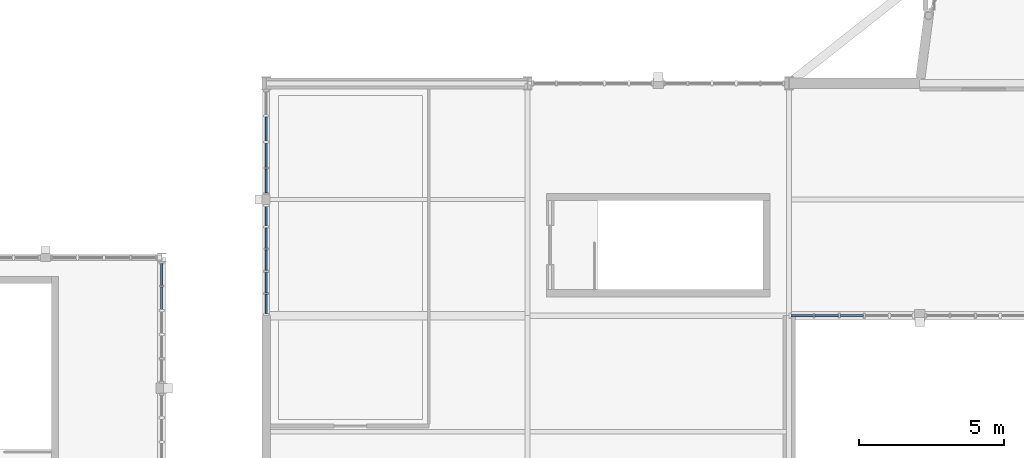
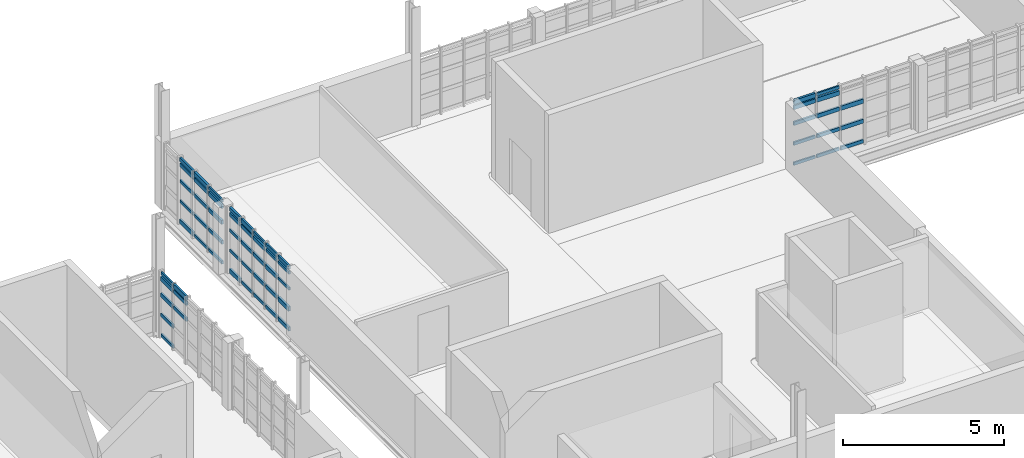
# One storey, part 21 of 44: 61 members, 4 elements without a shape of their own.
"""IFC4 building model written with IfcOpenShell, lengths in metres."""

from ifc_helpers import new_model, si_unit, direction, frame, origin, origin_2d, place, context, subcontext, project, spatial, rectangle, extrude, material, material_profile, profile_set, type_object, element, aggregate, save


model = new_model("IFC4")

# Units and contexts
model_context = context("Model", 3, precision=1e-05, world=origin(), true_north=direction((0.0, 1.0)))
body_context = subcontext(model_context, "Body", "Model", "MODEL_VIEW")
ifc_project = project(units=[si_unit("LENGTHUNIT", "METRE"), si_unit("AREAUNIT", "SQUARE_METRE"), si_unit("VOLUMEUNIT", "CUBIC_METRE"), si_unit("PLANEANGLEUNIT", "RADIAN"), si_unit("MASSUNIT", "GRAM", prefix="KILO")], contexts=[model_context])

# Site, building, storey
site_placement = place(None, origin())
site = spatial("IfcSite", under=ifc_project, at=site_placement, CompositionType="ELEMENT")
building_placement = place(site_placement, origin())
building = spatial("IfcBuilding", under=site, at=building_placement, Name="Serraforn Aerial Cableway Station", CompositionType="ELEMENT")
storey_placement = place(building_placement, frame((0.0, 0.0, 13.800048828125)))
storey = spatial("IfcBuildingStorey", under=building, at=storey_placement, Name="L03", CompositionType="ELEMENT", Elevation=13.800048828125)

# Curtain wall, member
ifc_material_1 = material(Name="Anodised bronze unitised curtain wall")
curtain_wall_type_1 = type_object("IfcCurtainWallType", Name="CW-SYS-18", PredefinedType="USERDEFINED", material=ifc_material_1)
curtain_wall_1_placement = place(storey_placement, origin())
curtain_wall_1 = element("IfcCurtainWall", 1, at=curtain_wall_1_placement, inside=storey, type_object=curtain_wall_type_1, Name="Unitised Curtain Wall CW-W-L03-E2B", ObjectType="UNITISED CURTAIN WALL", PredefinedType="USERDEFINED")
ifc_material_2 = material(Name="Anodised bronze extruded aluminium", Category="aluminium")
ifc_material_profile_1 = material_profile(ifc_material_2, rectangle(XDim=0.054931640625, YDim=0.110107421875, at=origin_2d()), Name="CW TRANSOM 55x110")
ifc_profile_set_1 = profile_set([ifc_material_profile_1], Name="Anodised bronze extruded aluminium")
member_type_1 = type_object("IfcMemberType", Name="CW-TRN-1", PredefinedType="USERDEFINED", material=ifc_profile_set_1)
member_1_placement = place(storey_placement, frame((24.0, 35.043212890625, 2.447998046875), z_axis=(0.0, 1.0, 0.0), x_axis=(-1.0, 0.0, 0.0)))
member_1 = element("IfcMember", 2, at=member_1_placement, type_object=member_type_1, Name="Curtain Wall Transom CW-W-L03-E2B-T5-5", ObjectType="TRANSOM", PredefinedType="USERDEFINED", context=body_context, shape_type="SweptSolid", body=[
    extrude(rectangle(XDim=0.054931640625, YDim=0.110107421875, at=origin_2d()), origin(), (0.0, 0.0, 1.0), 0.750732421875),
])

# Curtain wall, members
curtain_wall_type_2 = type_object("IfcCurtainWallType", Name="CW-SYS-15", PredefinedType="USERDEFINED", material=ifc_material_1)
curtain_wall_2_placement = place(storey_placement, origin())
curtain_wall_2 = element("IfcCurtainWall", 3, at=curtain_wall_2_placement, inside=storey, type_object=curtain_wall_type_2, Name="Unitised Curtain Wall CW-CV-L03-W3A", ObjectType="UNITISED CURTAIN WALL", PredefinedType="USERDEFINED")
member_2_placement = place(storey_placement, frame((27.60009765625, 40.8447265625, 0.866943359375), z_axis=(0.0, -1.0, 0.0), x_axis=(1.0, 0.0, 0.0)))
member_2 = element("IfcMember", 4, at=member_2_placement, type_object=member_type_1, Name="Curtain Wall Transom CW-CV-L03-W3A-T2-2", ObjectType="TRANSOM", PredefinedType="USERDEFINED", context=body_context, shape_type="SweptSolid", body=[
    extrude(rectangle(XDim=0.054931640625, YDim=0.110107421875, at=origin_2d()), origin(), (0.0, 0.0, 1.0), 0.830810546875),
])
member_3_placement = place(storey_placement, frame((27.60009765625, 39.943115234375, 0.10205078125), z_axis=(0.0, -1.0, 0.0), x_axis=(1.0, 0.0, 0.0)))
member_3 = element("IfcMember", 5, at=member_3_placement, type_object=member_type_1, Name="Curtain Wall Transom CW-CV-L03-W3A-T3-1", ObjectType="TRANSOM", PredefinedType="USERDEFINED", context=body_context, shape_type="SweptSolid", body=[
    extrude(rectangle(XDim=0.054931640625, YDim=0.110107421875, at=origin_2d()), origin(), (0.0, 0.0, 1.0), 0.83837890625),
])
member_4_placement = place(storey_placement, frame((27.60009765625, 39.0537109375, 2.447998046875), z_axis=(0.0, -1.0, 0.0), x_axis=(1.0, 0.0, 0.0)))
member_4 = element("IfcMember", 6, at=member_4_placement, type_object=member_type_1, Name="Curtain Wall Transom CW-CV-L03-W3A-T4-5", ObjectType="TRANSOM", PredefinedType="USERDEFINED", context=body_context, shape_type="SweptSolid", body=[
    extrude(rectangle(XDim=0.054931640625, YDim=0.110107421875, at=origin_2d()), origin(), (0.0, 0.0, 1.0), 0.815673828125),
])

curtain_wall_type_3 = type_object("IfcCurtainWallType", Name="CW-SYS-16", PredefinedType="USERDEFINED", material=ifc_material_1)
curtain_wall_3_placement = place(storey_placement, origin())
curtain_wall_3 = element("IfcCurtainWall", 7, at=curtain_wall_3_placement, inside=storey, type_object=curtain_wall_type_3, Name="Unitised Curtain Wall CW-CV-L03-W3B", ObjectType="UNITISED CURTAIN WALL", PredefinedType="USERDEFINED")
member_5_placement = place(storey_placement, frame((27.60009765625, 37.751953125, 0.866943359375), z_axis=(0.0, -1.0, 0.0), x_axis=(1.0, 0.0, 0.0)))
member_5 = element("IfcMember", 8, at=member_5_placement, type_object=member_type_1, Name="Curtain Wall Transom CW-CV-L03-W3B-T1-2", ObjectType="TRANSOM", PredefinedType="USERDEFINED", context=body_context, shape_type="SweptSolid", body=[
    extrude(rectangle(XDim=0.054931640625, YDim=0.110107421875, at=origin_2d()), origin(), (0.0, 0.0, 1.0), 0.660400390625),
])
member_6_placement = place(storey_placement, frame((27.60009765625, 37.0205078125, 0.10205078125), z_axis=(0.0, -1.0, 0.0), x_axis=(1.0, 0.0, 0.0)))
member_6 = element("IfcMember", 9, at=member_6_placement, type_object=member_type_1, Name="Curtain Wall Transom CW-CV-L03-W3B-T2-1", ObjectType="TRANSOM", PredefinedType="USERDEFINED", context=body_context, shape_type="SweptSolid", body=[
    extrude(rectangle(XDim=0.054931640625, YDim=0.110107421875, at=origin_2d()), origin(), (0.0, 0.0, 1.0), 0.703125),
])
member_7_placement = place(storey_placement, frame((27.60009765625, 36.2666015625, 2.447998046875), z_axis=(0.0, -1.0, 0.0), x_axis=(1.0, 0.0, 0.0)))
member_7 = element("IfcMember", 10, at=member_7_placement, type_object=member_type_1, Name="Curtain Wall Transom CW-CV-L03-W3B-T3-5", ObjectType="TRANSOM", PredefinedType="USERDEFINED", context=body_context, shape_type="SweptSolid", body=[
    extrude(rectangle(XDim=0.054931640625, YDim=0.110107421875, at=origin_2d()), origin(), (0.0, 0.0, 1.0), 0.710693359375),
])
member_8_placement = place(storey_placement, frame((27.60009765625, 35.5, 2.243896484375), z_axis=(0.0, -1.0, 0.0), x_axis=(1.0, 0.0, 0.0)))
member_8 = element("IfcMember", 11, at=member_8_placement, type_object=member_type_1, Name="Curtain Wall Transom CW-CV-L03-W3B-T4-4", ObjectType="TRANSOM", PredefinedType="USERDEFINED", context=body_context, shape_type="SweptSolid", body=[
    extrude(rectangle(XDim=0.054931640625, YDim=0.110107421875, at=origin_2d()), origin(), (0.0, 0.0, 1.0), 0.70556640625),
])
member_9_placement = place(storey_placement, frame((27.60009765625, 34.7333984375, 1.6318359375), z_axis=(0.0, -1.0, 0.0), x_axis=(1.0, 0.0, 0.0)))
member_9 = element("IfcMember", 12, at=member_9_placement, type_object=member_type_1, Name="Curtain Wall Transom CW-CV-L03-W3B-T5-3", ObjectType="TRANSOM", PredefinedType="USERDEFINED", context=body_context, shape_type="SweptSolid", body=[
    extrude(rectangle(XDim=0.054931640625, YDim=0.110107421875, at=origin_2d()), origin(), (0.0, 0.0, 1.0), 0.665283203125),
])

curtain_wall_type_4 = type_object("IfcCurtainWallType", Name="CW-SYS-17", PredefinedType="USERDEFINED", material=ifc_material_1)
curtain_wall_4_placement = place(storey_placement, origin())
curtain_wall_4 = element("IfcCurtainWall", 13, at=curtain_wall_4_placement, inside=storey, type_object=curtain_wall_type_4, Name="Unitised Curtain Wall CW-CV-L03-S3A", ObjectType="UNITISED CURTAIN WALL", PredefinedType="USERDEFINED")
member_10_placement = place(storey_placement, frame((45.673095703125, 34.0, 0.10205078125), z_axis=(1.0, 0.0, 0.0), x_axis=(0.0, 1.0, 0.0)))
member_10 = element("IfcMember", 14, at=member_10_placement, type_object=member_type_1, Name="Curtain Wall Transom CW-CV-L03-S3A-T1-1", ObjectType="TRANSOM", PredefinedType="USERDEFINED", context=body_context, shape_type="SweptSolid", body=[
    extrude(rectangle(XDim=0.054931640625, YDim=0.110107421875, at=origin_2d()), origin(), (0.0, 0.0, 1.0), 0.765380859375),
])
member_11_placement = place(storey_placement, frame((46.489501953125, 34.0, 2.447998046875), z_axis=(1.0, 0.0, 0.0), x_axis=(0.0, 1.0, 0.0)))
member_11 = element("IfcMember", 15, at=member_11_placement, type_object=member_type_1, Name="Curtain Wall Transom CW-CV-L03-S3A-T2-5", ObjectType="TRANSOM", PredefinedType="USERDEFINED", context=body_context, shape_type="SweptSolid", body=[
    extrude(rectangle(XDim=0.054931640625, YDim=0.110107421875, at=origin_2d()), origin(), (0.0, 0.0, 1.0), 0.810546875),
])

# Member
ifc_material_profile_2 = material_profile(ifc_material_2, rectangle(XDim=0.06005859375, YDim=0.1201171875, at=origin_2d()), Name="CW TRANSOM 60x120")
ifc_profile_set_2 = profile_set([ifc_material_profile_2], Name="Anodised bronze extruded aluminium")
member_type_2 = type_object("IfcMemberType", Name="CW-TRN-2", PredefinedType="USERDEFINED", material=ifc_profile_set_2)
member_12_placement = place(storey_placement, frame((24.0, 35.043212890625, 0.10205078125), z_axis=(0.0, 1.0, 0.0), x_axis=(-1.0, 0.0, 0.0)))
member_12 = element("IfcMember", 16, at=member_12_placement, type_object=member_type_2, Name="Curtain Wall Transom CW-W-L03-E2B-T5-1", ObjectType="TRANSOM", PredefinedType="USERDEFINED", context=body_context, shape_type="SweptSolid", body=[
    extrude(rectangle(XDim=0.06005859375, YDim=0.1201171875, at=origin_2d()), origin(), (0.0, 0.0, 1.0), 0.750732421875),
])

member_13_placement = place(storey_placement, frame((27.60009765625, 40.8447265625, 1.6318359375), z_axis=(0.0, -1.0, 0.0), x_axis=(1.0, 0.0, 0.0)))
member_13 = element("IfcMember", 17, at=member_13_placement, type_object=member_type_2, Name="Curtain Wall Transom CW-CV-L03-W3A-T2-3", ObjectType="TRANSOM", PredefinedType="USERDEFINED", context=body_context, shape_type="SweptSolid", body=[
    extrude(rectangle(XDim=0.06005859375, YDim=0.1201171875, at=origin_2d()), origin(), (0.0, 0.0, 1.0), 0.830810546875),
])

member_14_placement = place(storey_placement, frame((27.60009765625, 39.943115234375, 0.866943359375), z_axis=(0.0, -1.0, 0.0), x_axis=(1.0, 0.0, 0.0)))
member_14 = element("IfcMember", 18, at=member_14_placement, type_object=member_type_2, Name="Curtain Wall Transom CW-CV-L03-W3A-T3-2", ObjectType="TRANSOM", PredefinedType="USERDEFINED", context=body_context, shape_type="SweptSolid", body=[
    extrude(rectangle(XDim=0.06005859375, YDim=0.1201171875, at=origin_2d()), origin(), (0.0, 0.0, 1.0), 0.83837890625),
])

member_15_placement = place(storey_placement, frame((27.60009765625, 39.0537109375, 0.10205078125), z_axis=(0.0, -1.0, 0.0), x_axis=(1.0, 0.0, 0.0)))
member_15 = element("IfcMember", 19, at=member_15_placement, type_object=member_type_2, Name="Curtain Wall Transom CW-CV-L03-W3A-T4-1", ObjectType="TRANSOM", PredefinedType="USERDEFINED", context=body_context, shape_type="SweptSolid", body=[
    extrude(rectangle(XDim=0.06005859375, YDim=0.1201171875, at=origin_2d()), origin(), (0.0, 0.0, 1.0), 0.815673828125),
])

member_16_placement = place(storey_placement, frame((27.60009765625, 37.751953125, 1.6318359375), z_axis=(0.0, -1.0, 0.0), x_axis=(1.0, 0.0, 0.0)))
member_16 = element("IfcMember", 20, at=member_16_placement, type_object=member_type_2, Name="Curtain Wall Transom CW-CV-L03-W3B-T1-3", ObjectType="TRANSOM", PredefinedType="USERDEFINED", context=body_context, shape_type="SweptSolid", body=[
    extrude(rectangle(XDim=0.06005859375, YDim=0.1201171875, at=origin_2d()), origin(), (0.0, 0.0, 1.0), 0.660400390625),
])

member_17_placement = place(storey_placement, frame((27.60009765625, 37.0205078125, 0.866943359375), z_axis=(0.0, -1.0, 0.0), x_axis=(1.0, 0.0, 0.0)))
member_17 = element("IfcMember", 21, at=member_17_placement, type_object=member_type_2, Name="Curtain Wall Transom CW-CV-L03-W3B-T2-2", ObjectType="TRANSOM", PredefinedType="USERDEFINED", context=body_context, shape_type="SweptSolid", body=[
    extrude(rectangle(XDim=0.06005859375, YDim=0.1201171875, at=origin_2d()), origin(), (0.0, 0.0, 1.0), 0.703125),
])

member_18_placement = place(storey_placement, frame((27.60009765625, 36.2666015625, 0.10205078125), z_axis=(0.0, -1.0, 0.0), x_axis=(1.0, 0.0, 0.0)))
member_18 = element("IfcMember", 22, at=member_18_placement, type_object=member_type_2, Name="Curtain Wall Transom CW-CV-L03-W3B-T3-1", ObjectType="TRANSOM", PredefinedType="USERDEFINED", context=body_context, shape_type="SweptSolid", body=[
    extrude(rectangle(XDim=0.06005859375, YDim=0.1201171875, at=origin_2d()), origin(), (0.0, 0.0, 1.0), 0.710693359375),
])

member_19_placement = place(storey_placement, frame((27.60009765625, 35.5, 2.447998046875), z_axis=(0.0, -1.0, 0.0), x_axis=(1.0, 0.0, 0.0)))
member_19 = element("IfcMember", 23, at=member_19_placement, type_object=member_type_2, Name="Curtain Wall Transom CW-CV-L03-W3B-T4-5", ObjectType="TRANSOM", PredefinedType="USERDEFINED", context=body_context, shape_type="SweptSolid", body=[
    extrude(rectangle(XDim=0.06005859375, YDim=0.1201171875, at=origin_2d()), origin(), (0.0, 0.0, 1.0), 0.70556640625),
])

member_20_placement = place(storey_placement, frame((27.60009765625, 34.7333984375, 2.243896484375), z_axis=(0.0, -1.0, 0.0), x_axis=(1.0, 0.0, 0.0)))
member_20 = element("IfcMember", 24, at=member_20_placement, type_object=member_type_2, Name="Curtain Wall Transom CW-CV-L03-W3B-T5-4", ObjectType="TRANSOM", PredefinedType="USERDEFINED", context=body_context, shape_type="SweptSolid", body=[
    extrude(rectangle(XDim=0.06005859375, YDim=0.1201171875, at=origin_2d()), origin(), (0.0, 0.0, 1.0), 0.665283203125),
])

member_21_placement = place(storey_placement, frame((45.673095703125, 34.0, 0.866943359375), z_axis=(1.0, 0.0, 0.0), x_axis=(0.0, 1.0, 0.0)))
member_21 = element("IfcMember", 25, at=member_21_placement, type_object=member_type_2, Name="Curtain Wall Transom CW-CV-L03-S3A-T1-2", ObjectType="TRANSOM", PredefinedType="USERDEFINED", context=body_context, shape_type="SweptSolid", body=[
    extrude(rectangle(XDim=0.06005859375, YDim=0.1201171875, at=origin_2d()), origin(), (0.0, 0.0, 1.0), 0.765380859375),
])

member_22_placement = place(storey_placement, frame((46.489501953125, 34.0, 0.10205078125), z_axis=(1.0, 0.0, 0.0), x_axis=(0.0, 1.0, 0.0)))
member_22 = element("IfcMember", 26, at=member_22_placement, type_object=member_type_2, Name="Curtain Wall Transom CW-CV-L03-S3A-T2-1", ObjectType="TRANSOM", PredefinedType="USERDEFINED", context=body_context, shape_type="SweptSolid", body=[
    extrude(rectangle(XDim=0.06005859375, YDim=0.1201171875, at=origin_2d()), origin(), (0.0, 0.0, 1.0), 0.810546875),
])

ifc_material_profile_3 = material_profile(ifc_material_2, rectangle(XDim=0.06494140625, YDim=0.135009765625, at=origin_2d()), Name="CW TRANSOM 65x135")
ifc_profile_set_3 = profile_set([ifc_material_profile_3], Name="Anodised bronze extruded aluminium")
member_type_3 = type_object("IfcMemberType", Name="CW-TRN-3", PredefinedType="USERDEFINED", material=ifc_profile_set_3)
member_23_placement = place(storey_placement, frame((24.0, 34.21875, 1.6318359375), z_axis=(0.0, 1.0, 0.0), x_axis=(-1.0, 0.0, 0.0)))
member_23 = element("IfcMember", 27, at=member_23_placement, type_object=member_type_3, Name="Curtain Wall Transom CW-W-L03-E2B-T4-3", ObjectType="TRANSOM", PredefinedType="USERDEFINED", context=body_context, shape_type="SweptSolid", body=[
    extrude(rectangle(XDim=0.06494140625, YDim=0.135009765625, at=origin_2d()), origin(), (0.0, 0.0, 1.0), 0.7734375),
])

member_24_placement = place(storey_placement, frame((24.0, 35.043212890625, 0.866943359375), z_axis=(0.0, 1.0, 0.0), x_axis=(-1.0, 0.0, 0.0)))
member_24 = element("IfcMember", 28, at=member_24_placement, type_object=member_type_3, Name="Curtain Wall Transom CW-W-L03-E2B-T5-2", ObjectType="TRANSOM", PredefinedType="USERDEFINED", context=body_context, shape_type="SweptSolid", body=[
    extrude(rectangle(XDim=0.06494140625, YDim=0.135009765625, at=origin_2d()), origin(), (0.0, 0.0, 1.0), 0.750732421875),
])

member_25_placement = place(storey_placement, frame((27.60009765625, 40.8447265625, 2.243896484375), z_axis=(0.0, -1.0, 0.0), x_axis=(1.0, 0.0, 0.0)))
member_25 = element("IfcMember", 29, at=member_25_placement, type_object=member_type_3, Name="Curtain Wall Transom CW-CV-L03-W3A-T2-4", ObjectType="TRANSOM", PredefinedType="USERDEFINED", context=body_context, shape_type="SweptSolid", body=[
    extrude(rectangle(XDim=0.06494140625, YDim=0.135009765625, at=origin_2d()), origin(), (0.0, 0.0, 1.0), 0.830810546875),
])

member_26_placement = place(storey_placement, frame((27.60009765625, 39.943115234375, 1.6318359375), z_axis=(0.0, -1.0, 0.0), x_axis=(1.0, 0.0, 0.0)))
member_26 = element("IfcMember", 30, at=member_26_placement, type_object=member_type_3, Name="Curtain Wall Transom CW-CV-L03-W3A-T3-3", ObjectType="TRANSOM", PredefinedType="USERDEFINED", context=body_context, shape_type="SweptSolid", body=[
    extrude(rectangle(XDim=0.06494140625, YDim=0.135009765625, at=origin_2d()), origin(), (0.0, 0.0, 1.0), 0.83837890625),
])

member_27_placement = place(storey_placement, frame((27.60009765625, 39.0537109375, 0.866943359375), z_axis=(0.0, -1.0, 0.0), x_axis=(1.0, 0.0, 0.0)))
member_27 = element("IfcMember", 31, at=member_27_placement, type_object=member_type_3, Name="Curtain Wall Transom CW-CV-L03-W3A-T4-2", ObjectType="TRANSOM", PredefinedType="USERDEFINED", context=body_context, shape_type="SweptSolid", body=[
    extrude(rectangle(XDim=0.06494140625, YDim=0.135009765625, at=origin_2d()), origin(), (0.0, 0.0, 1.0), 0.815673828125),
])

member_28_placement = place(storey_placement, frame((27.60009765625, 37.751953125, 2.243896484375), z_axis=(0.0, -1.0, 0.0), x_axis=(1.0, 0.0, 0.0)))
member_28 = element("IfcMember", 32, at=member_28_placement, type_object=member_type_3, Name="Curtain Wall Transom CW-CV-L03-W3B-T1-4", ObjectType="TRANSOM", PredefinedType="USERDEFINED", context=body_context, shape_type="SweptSolid", body=[
    extrude(rectangle(XDim=0.06494140625, YDim=0.135009765625, at=origin_2d()), origin(), (0.0, 0.0, 1.0), 0.660400390625),
])

member_29_placement = place(storey_placement, frame((27.60009765625, 37.0205078125, 1.6318359375), z_axis=(0.0, -1.0, 0.0), x_axis=(1.0, 0.0, 0.0)))
member_29 = element("IfcMember", 33, at=member_29_placement, type_object=member_type_3, Name="Curtain Wall Transom CW-CV-L03-W3B-T2-3", ObjectType="TRANSOM", PredefinedType="USERDEFINED", context=body_context, shape_type="SweptSolid", body=[
    extrude(rectangle(XDim=0.06494140625, YDim=0.135009765625, at=origin_2d()), origin(), (0.0, 0.0, 1.0), 0.703125),
])

member_30_placement = place(storey_placement, frame((27.60009765625, 36.2666015625, 0.866943359375), z_axis=(0.0, -1.0, 0.0), x_axis=(1.0, 0.0, 0.0)))
member_30 = element("IfcMember", 34, at=member_30_placement, type_object=member_type_3, Name="Curtain Wall Transom CW-CV-L03-W3B-T3-2", ObjectType="TRANSOM", PredefinedType="USERDEFINED", context=body_context, shape_type="SweptSolid", body=[
    extrude(rectangle(XDim=0.06494140625, YDim=0.135009765625, at=origin_2d()), origin(), (0.0, 0.0, 1.0), 0.710693359375),
])

member_31_placement = place(storey_placement, frame((27.60009765625, 35.5, 0.10205078125), z_axis=(0.0, -1.0, 0.0), x_axis=(1.0, 0.0, 0.0)))
member_31 = element("IfcMember", 35, at=member_31_placement, type_object=member_type_3, Name="Curtain Wall Transom CW-CV-L03-W3B-T4-1", ObjectType="TRANSOM", PredefinedType="USERDEFINED", context=body_context, shape_type="SweptSolid", body=[
    extrude(rectangle(XDim=0.06494140625, YDim=0.135009765625, at=origin_2d()), origin(), (0.0, 0.0, 1.0), 0.70556640625),
])

member_32_placement = place(storey_placement, frame((27.60009765625, 34.7333984375, 2.447998046875), z_axis=(0.0, -1.0, 0.0), x_axis=(1.0, 0.0, 0.0)))
member_32 = element("IfcMember", 36, at=member_32_placement, type_object=member_type_3, Name="Curtain Wall Transom CW-CV-L03-W3B-T5-5", ObjectType="TRANSOM", PredefinedType="USERDEFINED", context=body_context, shape_type="SweptSolid", body=[
    extrude(rectangle(XDim=0.06494140625, YDim=0.135009765625, at=origin_2d()), origin(), (0.0, 0.0, 1.0), 0.665283203125),
])

member_33_placement = place(storey_placement, frame((45.673095703125, 34.0, 1.6318359375), z_axis=(1.0, 0.0, 0.0), x_axis=(0.0, 1.0, 0.0)))
member_33 = element("IfcMember", 37, at=member_33_placement, type_object=member_type_3, Name="Curtain Wall Transom CW-CV-L03-S3A-T1-3", ObjectType="TRANSOM", PredefinedType="USERDEFINED", context=body_context, shape_type="SweptSolid", body=[
    extrude(rectangle(XDim=0.06494140625, YDim=0.135009765625, at=origin_2d()), origin(), (0.0, 0.0, 1.0), 0.765380859375),
])

member_34_placement = place(storey_placement, frame((46.489501953125, 34.0, 0.866943359375), z_axis=(1.0, 0.0, 0.0), x_axis=(0.0, 1.0, 0.0)))
member_34 = element("IfcMember", 38, at=member_34_placement, type_object=member_type_3, Name="Curtain Wall Transom CW-CV-L03-S3A-T2-2", ObjectType="TRANSOM", PredefinedType="USERDEFINED", context=body_context, shape_type="SweptSolid", body=[
    extrude(rectangle(XDim=0.06494140625, YDim=0.135009765625, at=origin_2d()), origin(), (0.0, 0.0, 1.0), 0.810546875),
])

member_35_placement = place(storey_placement, frame((47.35595703125, 34.0, 0.10205078125), z_axis=(1.0, 0.0, 0.0), x_axis=(0.0, 1.0, 0.0)))
member_35 = element("IfcMember", 39, at=member_35_placement, type_object=member_type_3, Name="Curtain Wall Transom CW-CV-L03-S3A-T3-1", ObjectType="TRANSOM", PredefinedType="USERDEFINED", context=body_context, shape_type="SweptSolid", body=[
    extrude(rectangle(XDim=0.06494140625, YDim=0.135009765625, at=origin_2d()), origin(), (0.0, 0.0, 1.0), 0.8056640625),
])

ifc_material_profile_4 = material_profile(ifc_material_2, rectangle(XDim=0.070068359375, YDim=0.14990234375, at=origin_2d()), Name="CW TRANSOM 70x150")
ifc_profile_set_4 = profile_set([ifc_material_profile_4], Name="Anodised bronze extruded aluminium")
member_type_4 = type_object("IfcMemberType", Name="CW-TRN-4", PredefinedType="USERDEFINED", material=ifc_profile_set_4)
member_36_placement = place(storey_placement, frame((24.0, 34.21875, 2.243896484375), z_axis=(0.0, 1.0, 0.0), x_axis=(-1.0, 0.0, 0.0)))
member_36 = element("IfcMember", 40, at=member_36_placement, type_object=member_type_4, Name="Curtain Wall Transom CW-W-L03-E2B-T4-4", ObjectType="TRANSOM", PredefinedType="USERDEFINED", context=body_context, shape_type="SweptSolid", body=[
    extrude(rectangle(XDim=0.070068359375, YDim=0.14990234375, at=origin_2d()), origin(), (0.0, 0.0, 1.0), 0.7734375),
])

member_37_placement = place(storey_placement, frame((24.0, 35.043212890625, 1.6318359375), z_axis=(0.0, 1.0, 0.0), x_axis=(-1.0, 0.0, 0.0)))
member_37 = element("IfcMember", 41, at=member_37_placement, type_object=member_type_4, Name="Curtain Wall Transom CW-W-L03-E2B-T5-3", ObjectType="TRANSOM", PredefinedType="USERDEFINED", context=body_context, shape_type="SweptSolid", body=[
    extrude(rectangle(XDim=0.070068359375, YDim=0.14990234375, at=origin_2d()), origin(), (0.0, 0.0, 1.0), 0.750732421875),
])

member_38_placement = place(storey_placement, frame((27.60009765625, 40.8447265625, 2.447998046875), z_axis=(0.0, -1.0, 0.0), x_axis=(1.0, 0.0, 0.0)))
member_38 = element("IfcMember", 42, at=member_38_placement, type_object=member_type_4, Name="Curtain Wall Transom CW-CV-L03-W3A-T2-5", ObjectType="TRANSOM", PredefinedType="USERDEFINED", context=body_context, shape_type="SweptSolid", body=[
    extrude(rectangle(XDim=0.070068359375, YDim=0.14990234375, at=origin_2d()), origin(), (0.0, 0.0, 1.0), 0.830810546875),
])

member_39_placement = place(storey_placement, frame((27.60009765625, 39.943115234375, 2.243896484375), z_axis=(0.0, -1.0, 0.0), x_axis=(1.0, 0.0, 0.0)))
member_39 = element("IfcMember", 43, at=member_39_placement, type_object=member_type_4, Name="Curtain Wall Transom CW-CV-L03-W3A-T3-4", ObjectType="TRANSOM", PredefinedType="USERDEFINED", context=body_context, shape_type="SweptSolid", body=[
    extrude(rectangle(XDim=0.070068359375, YDim=0.14990234375, at=origin_2d()), origin(), (0.0, 0.0, 1.0), 0.83837890625),
])

member_40_placement = place(storey_placement, frame((27.60009765625, 39.0537109375, 1.6318359375), z_axis=(0.0, -1.0, 0.0), x_axis=(1.0, 0.0, 0.0)))
member_40 = element("IfcMember", 44, at=member_40_placement, type_object=member_type_4, Name="Curtain Wall Transom CW-CV-L03-W3A-T4-3", ObjectType="TRANSOM", PredefinedType="USERDEFINED", context=body_context, shape_type="SweptSolid", body=[
    extrude(rectangle(XDim=0.070068359375, YDim=0.14990234375, at=origin_2d()), origin(), (0.0, 0.0, 1.0), 0.815673828125),
])

member_41_placement = place(storey_placement, frame((27.60009765625, 37.751953125, 2.447998046875), z_axis=(0.0, -1.0, 0.0), x_axis=(1.0, 0.0, 0.0)))
member_41 = element("IfcMember", 45, at=member_41_placement, type_object=member_type_4, Name="Curtain Wall Transom CW-CV-L03-W3B-T1-5", ObjectType="TRANSOM", PredefinedType="USERDEFINED", context=body_context, shape_type="SweptSolid", body=[
    extrude(rectangle(XDim=0.070068359375, YDim=0.14990234375, at=origin_2d()), origin(), (0.0, 0.0, 1.0), 0.660400390625),
])

member_42_placement = place(storey_placement, frame((27.60009765625, 37.0205078125, 2.243896484375), z_axis=(0.0, -1.0, 0.0), x_axis=(1.0, 0.0, 0.0)))
member_42 = element("IfcMember", 46, at=member_42_placement, type_object=member_type_4, Name="Curtain Wall Transom CW-CV-L03-W3B-T2-4", ObjectType="TRANSOM", PredefinedType="USERDEFINED", context=body_context, shape_type="SweptSolid", body=[
    extrude(rectangle(XDim=0.070068359375, YDim=0.14990234375, at=origin_2d()), origin(), (0.0, 0.0, 1.0), 0.703125),
])

member_43_placement = place(storey_placement, frame((27.60009765625, 36.2666015625, 1.6318359375), z_axis=(0.0, -1.0, 0.0), x_axis=(1.0, 0.0, 0.0)))
member_43 = element("IfcMember", 47, at=member_43_placement, type_object=member_type_4, Name="Curtain Wall Transom CW-CV-L03-W3B-T3-3", ObjectType="TRANSOM", PredefinedType="USERDEFINED", context=body_context, shape_type="SweptSolid", body=[
    extrude(rectangle(XDim=0.070068359375, YDim=0.14990234375, at=origin_2d()), origin(), (0.0, 0.0, 1.0), 0.710693359375),
])

member_44_placement = place(storey_placement, frame((27.60009765625, 35.5, 0.866943359375), z_axis=(0.0, -1.0, 0.0), x_axis=(1.0, 0.0, 0.0)))
member_44 = element("IfcMember", 48, at=member_44_placement, type_object=member_type_4, Name="Curtain Wall Transom CW-CV-L03-W3B-T4-2", ObjectType="TRANSOM", PredefinedType="USERDEFINED", context=body_context, shape_type="SweptSolid", body=[
    extrude(rectangle(XDim=0.070068359375, YDim=0.14990234375, at=origin_2d()), origin(), (0.0, 0.0, 1.0), 0.70556640625),
])

member_45_placement = place(storey_placement, frame((27.60009765625, 34.7333984375, 0.10205078125), z_axis=(0.0, -1.0, 0.0), x_axis=(1.0, 0.0, 0.0)))
member_45 = element("IfcMember", 49, at=member_45_placement, type_object=member_type_4, Name="Curtain Wall Transom CW-CV-L03-W3B-T5-1", ObjectType="TRANSOM", PredefinedType="USERDEFINED", context=body_context, shape_type="SweptSolid", body=[
    extrude(rectangle(XDim=0.070068359375, YDim=0.14990234375, at=origin_2d()), origin(), (0.0, 0.0, 1.0), 0.665283203125),
])

member_46_placement = place(storey_placement, frame((45.673095703125, 34.0, 2.243896484375), z_axis=(1.0, 0.0, 0.0), x_axis=(0.0, 1.0, 0.0)))
member_46 = element("IfcMember", 50, at=member_46_placement, type_object=member_type_4, Name="Curtain Wall Transom CW-CV-L03-S3A-T1-4", ObjectType="TRANSOM", PredefinedType="USERDEFINED", context=body_context, shape_type="SweptSolid", body=[
    extrude(rectangle(XDim=0.070068359375, YDim=0.14990234375, at=origin_2d()), origin(), (0.0, 0.0, 1.0), 0.765380859375),
])

member_47_placement = place(storey_placement, frame((46.489501953125, 34.0, 1.6318359375), z_axis=(1.0, 0.0, 0.0), x_axis=(0.0, 1.0, 0.0)))
member_47 = element("IfcMember", 51, at=member_47_placement, type_object=member_type_4, Name="Curtain Wall Transom CW-CV-L03-S3A-T2-3", ObjectType="TRANSOM", PredefinedType="USERDEFINED", context=body_context, shape_type="SweptSolid", body=[
    extrude(rectangle(XDim=0.070068359375, YDim=0.14990234375, at=origin_2d()), origin(), (0.0, 0.0, 1.0), 0.810546875),
])

member_48_placement = place(storey_placement, frame((47.35595703125, 34.0, 0.866943359375), z_axis=(1.0, 0.0, 0.0), x_axis=(0.0, 1.0, 0.0)))
member_48 = element("IfcMember", 52, at=member_48_placement, type_object=member_type_4, Name="Curtain Wall Transom CW-CV-L03-S3A-T3-2", ObjectType="TRANSOM", PredefinedType="USERDEFINED", context=body_context, shape_type="SweptSolid", body=[
    extrude(rectangle(XDim=0.070068359375, YDim=0.14990234375, at=origin_2d()), origin(), (0.0, 0.0, 1.0), 0.8056640625),
])

ifc_material_profile_5 = material_profile(ifc_material_2, rectangle(XDim=0.074951171875, YDim=0.1650390625, at=origin_2d()), Name="CW TRANSOM 75x165")
ifc_profile_set_5 = profile_set([ifc_material_profile_5], Name="Anodised bronze extruded aluminium")
member_type_5 = type_object("IfcMemberType", Name="CW-TRN-5", PredefinedType="USERDEFINED", material=ifc_profile_set_5)
member_49_placement = place(storey_placement, frame((24.0, 34.21875, 2.447998046875), z_axis=(0.0, 1.0, 0.0), x_axis=(-1.0, 0.0, 0.0)))
member_49 = element("IfcMember", 53, at=member_49_placement, type_object=member_type_5, Name="Curtain Wall Transom CW-W-L03-E2B-T4-5", ObjectType="TRANSOM", PredefinedType="USERDEFINED", context=body_context, shape_type="SweptSolid", body=[
    extrude(rectangle(XDim=0.074951171875, YDim=0.1650390625, at=origin_2d()), origin(), (0.0, 0.0, 1.0), 0.7734375),
])

member_50_placement = place(storey_placement, frame((24.0, 35.043212890625, 2.243896484375), z_axis=(0.0, 1.0, 0.0), x_axis=(-1.0, 0.0, 0.0)))
member_50 = element("IfcMember", 54, at=member_50_placement, type_object=member_type_5, Name="Curtain Wall Transom CW-W-L03-E2B-T5-4", ObjectType="TRANSOM", PredefinedType="USERDEFINED", context=body_context, shape_type="SweptSolid", body=[
    extrude(rectangle(XDim=0.074951171875, YDim=0.1650390625, at=origin_2d()), origin(), (0.0, 0.0, 1.0), 0.750732421875),
])

aggregate(curtain_wall_1, [member_23, member_36, member_49, member_12, member_24, member_37, member_50, member_1])

member_51_placement = place(storey_placement, frame((27.60009765625, 40.8447265625, 0.10205078125), z_axis=(0.0, -1.0, 0.0), x_axis=(1.0, 0.0, 0.0)))
member_51 = element("IfcMember", 55, at=member_51_placement, type_object=member_type_5, Name="Curtain Wall Transom CW-CV-L03-W3A-T2-1", ObjectType="TRANSOM", PredefinedType="USERDEFINED", context=body_context, shape_type="SweptSolid", body=[
    extrude(rectangle(XDim=0.074951171875, YDim=0.1650390625, at=origin_2d()), origin(), (0.0, 0.0, 1.0), 0.830810546875),
])

member_52_placement = place(storey_placement, frame((27.60009765625, 39.943115234375, 2.447998046875), z_axis=(0.0, -1.0, 0.0), x_axis=(1.0, 0.0, 0.0)))
member_52 = element("IfcMember", 56, at=member_52_placement, type_object=member_type_5, Name="Curtain Wall Transom CW-CV-L03-W3A-T3-5", ObjectType="TRANSOM", PredefinedType="USERDEFINED", context=body_context, shape_type="SweptSolid", body=[
    extrude(rectangle(XDim=0.074951171875, YDim=0.1650390625, at=origin_2d()), origin(), (0.0, 0.0, 1.0), 0.83837890625),
])

member_53_placement = place(storey_placement, frame((27.60009765625, 39.0537109375, 2.243896484375), z_axis=(0.0, -1.0, 0.0), x_axis=(1.0, 0.0, 0.0)))
member_53 = element("IfcMember", 57, at=member_53_placement, type_object=member_type_5, Name="Curtain Wall Transom CW-CV-L03-W3A-T4-4", ObjectType="TRANSOM", PredefinedType="USERDEFINED", context=body_context, shape_type="SweptSolid", body=[
    extrude(rectangle(XDim=0.074951171875, YDim=0.1650390625, at=origin_2d()), origin(), (0.0, 0.0, 1.0), 0.815673828125),
])

aggregate(curtain_wall_2, [member_51, member_2, member_13, member_25, member_38, member_3, member_14, member_26, member_39, member_52, member_15, member_27, member_40, member_53, member_4])

member_54_placement = place(storey_placement, frame((27.60009765625, 37.751953125, 0.10205078125), z_axis=(0.0, -1.0, 0.0), x_axis=(1.0, 0.0, 0.0)))
member_54 = element("IfcMember", 58, at=member_54_placement, type_object=member_type_5, Name="Curtain Wall Transom CW-CV-L03-W3B-T1-1", ObjectType="TRANSOM", PredefinedType="USERDEFINED", context=body_context, shape_type="SweptSolid", body=[
    extrude(rectangle(XDim=0.074951171875, YDim=0.1650390625, at=origin_2d()), origin(), (0.0, 0.0, 1.0), 0.660400390625),
])

member_55_placement = place(storey_placement, frame((27.60009765625, 37.0205078125, 2.447998046875), z_axis=(0.0, -1.0, 0.0), x_axis=(1.0, 0.0, 0.0)))
member_55 = element("IfcMember", 59, at=member_55_placement, type_object=member_type_5, Name="Curtain Wall Transom CW-CV-L03-W3B-T2-5", ObjectType="TRANSOM", PredefinedType="USERDEFINED", context=body_context, shape_type="SweptSolid", body=[
    extrude(rectangle(XDim=0.074951171875, YDim=0.1650390625, at=origin_2d()), origin(), (0.0, 0.0, 1.0), 0.703125),
])

member_56_placement = place(storey_placement, frame((27.60009765625, 36.2666015625, 2.243896484375), z_axis=(0.0, -1.0, 0.0), x_axis=(1.0, 0.0, 0.0)))
member_56 = element("IfcMember", 60, at=member_56_placement, type_object=member_type_5, Name="Curtain Wall Transom CW-CV-L03-W3B-T3-4", ObjectType="TRANSOM", PredefinedType="USERDEFINED", context=body_context, shape_type="SweptSolid", body=[
    extrude(rectangle(XDim=0.074951171875, YDim=0.1650390625, at=origin_2d()), origin(), (0.0, 0.0, 1.0), 0.710693359375),
])

member_57_placement = place(storey_placement, frame((27.60009765625, 35.5, 1.6318359375), z_axis=(0.0, -1.0, 0.0), x_axis=(1.0, 0.0, 0.0)))
member_57 = element("IfcMember", 61, at=member_57_placement, type_object=member_type_5, Name="Curtain Wall Transom CW-CV-L03-W3B-T4-3", ObjectType="TRANSOM", PredefinedType="USERDEFINED", context=body_context, shape_type="SweptSolid", body=[
    extrude(rectangle(XDim=0.074951171875, YDim=0.1650390625, at=origin_2d()), origin(), (0.0, 0.0, 1.0), 0.70556640625),
])

member_58_placement = place(storey_placement, frame((27.60009765625, 34.7333984375, 0.866943359375), z_axis=(0.0, -1.0, 0.0), x_axis=(1.0, 0.0, 0.0)))
member_58 = element("IfcMember", 62, at=member_58_placement, type_object=member_type_5, Name="Curtain Wall Transom CW-CV-L03-W3B-T5-2", ObjectType="TRANSOM", PredefinedType="USERDEFINED", context=body_context, shape_type="SweptSolid", body=[
    extrude(rectangle(XDim=0.074951171875, YDim=0.1650390625, at=origin_2d()), origin(), (0.0, 0.0, 1.0), 0.665283203125),
])

aggregate(curtain_wall_3, [member_54, member_5, member_16, member_28, member_41, member_6, member_17, member_29, member_42, member_55, member_18, member_30, member_43, member_56, member_7, member_31, member_44, member_57, member_8, member_19, member_45, member_58, member_9, member_20, member_32])

member_59_placement = place(storey_placement, frame((45.673095703125, 34.0, 2.447998046875), z_axis=(1.0, 0.0, 0.0), x_axis=(0.0, 1.0, 0.0)))
member_59 = element("IfcMember", 63, at=member_59_placement, type_object=member_type_5, Name="Curtain Wall Transom CW-CV-L03-S3A-T1-5", ObjectType="TRANSOM", PredefinedType="USERDEFINED", context=body_context, shape_type="SweptSolid", body=[
    extrude(rectangle(XDim=0.074951171875, YDim=0.1650390625, at=origin_2d()), origin(), (0.0, 0.0, 1.0), 0.765380859375),
])

member_60_placement = place(storey_placement, frame((46.489501953125, 34.0, 2.243896484375), z_axis=(1.0, 0.0, 0.0), x_axis=(0.0, 1.0, 0.0)))
member_60 = element("IfcMember", 64, at=member_60_placement, type_object=member_type_5, Name="Curtain Wall Transom CW-CV-L03-S3A-T2-4", ObjectType="TRANSOM", PredefinedType="USERDEFINED", context=body_context, shape_type="SweptSolid", body=[
    extrude(rectangle(XDim=0.074951171875, YDim=0.1650390625, at=origin_2d()), origin(), (0.0, 0.0, 1.0), 0.810546875),
])

member_61_placement = place(storey_placement, frame((47.35595703125, 34.0, 1.6318359375), z_axis=(1.0, 0.0, 0.0), x_axis=(0.0, 1.0, 0.0)))
member_61 = element("IfcMember", 65, at=member_61_placement, type_object=member_type_5, Name="Curtain Wall Transom CW-CV-L03-S3A-T3-3", ObjectType="TRANSOM", PredefinedType="USERDEFINED", context=body_context, shape_type="SweptSolid", body=[
    extrude(rectangle(XDim=0.074951171875, YDim=0.1650390625, at=origin_2d()), origin(), (0.0, 0.0, 1.0), 0.8056640625),
])

aggregate(curtain_wall_4, [member_10, member_21, member_33, member_46, member_59, member_22, member_34, member_47, member_60, member_11, member_35, member_48, member_61])

save(model, "model.ifc")
